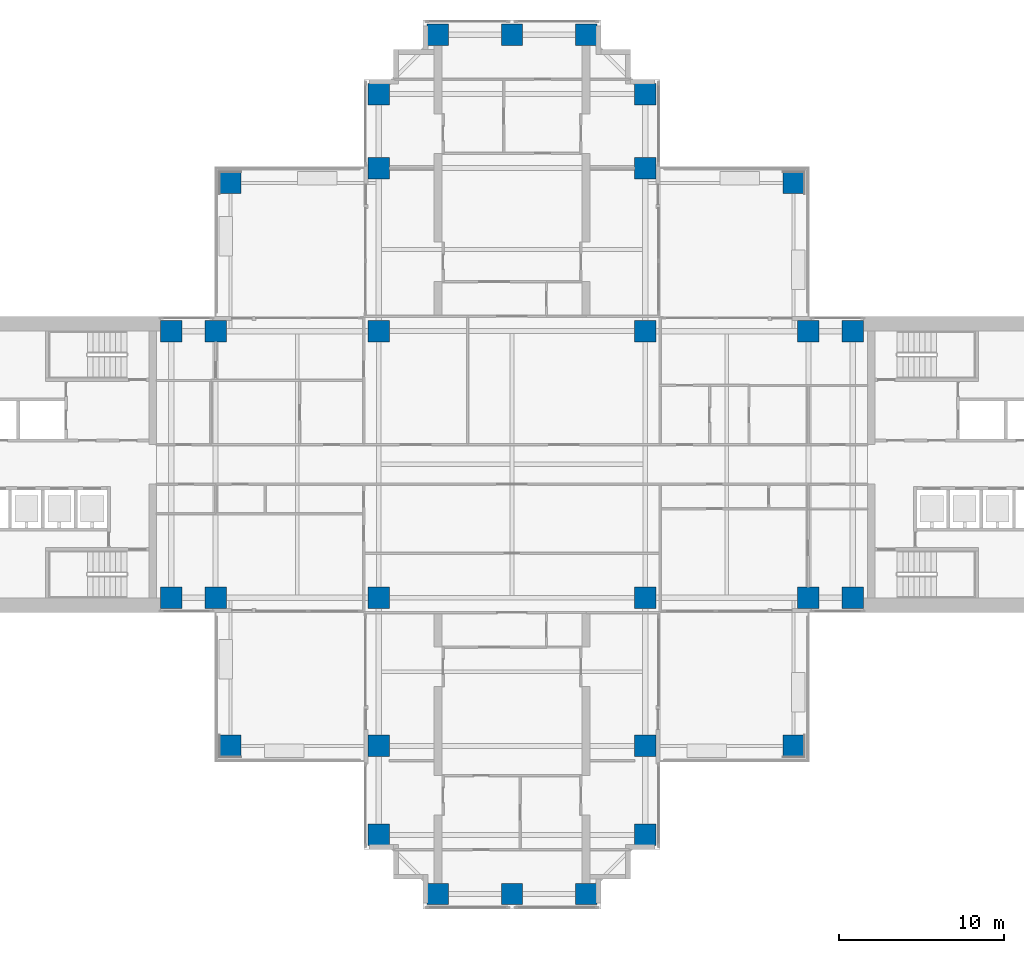
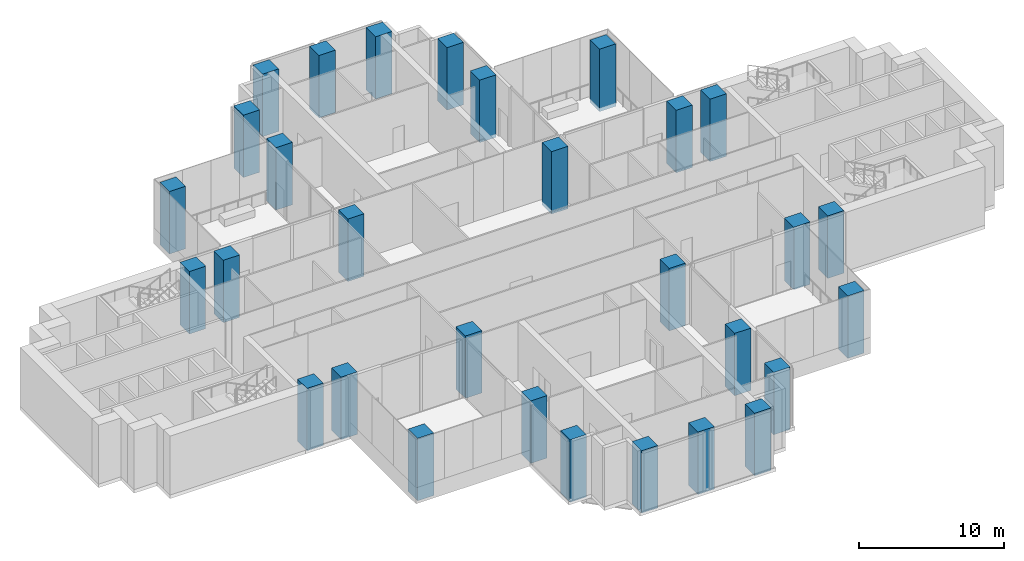
# One storey, part 1 of 17: 30 columns.
"""IFC4 building model written with IfcOpenShell, lengths in metres."""

from ifc_helpers import new_model, si_unit, direction, frame, origin, origin_2d, place, context, subcontext, project, spatial, rectangle, extrude, material, material_profile, profile_set, type_object, element, save


model = new_model("IFC4")

# Units and contexts
model_context = context("Model", 3, precision=1e-05, world=origin(), true_north=direction((0.0, 1.0)))
body_context = subcontext(model_context, "Body", "Model", "MODEL_VIEW")
ifc_project = project(units=[si_unit("LENGTHUNIT", "METRE"), si_unit("AREAUNIT", "SQUARE_METRE"), si_unit("VOLUMEUNIT", "CUBIC_METRE"), si_unit("PLANEANGLEUNIT", "RADIAN"), si_unit("MASSUNIT", "GRAM", prefix="KILO")], contexts=[model_context])

# Site, building, storey
site_placement = place(None, origin())
site = spatial("IfcSite", under=ifc_project, at=site_placement, CompositionType="ELEMENT")
building_placement = place(site_placement, origin())
building = spatial("IfcBuilding", under=site, at=building_placement, Name="Perihelion Cross Residences", CompositionType="ELEMENT")
storey_placement = place(building_placement, frame((0.0, 0.0, 92.5)))
storey = spatial("IfcBuildingStorey", under=building, at=storey_placement, Name="L21", CompositionType="ELEMENT", Elevation=92.5)

# Columns
ifc_material = material(Name="Concrete C70/85", Category="concrete")
ifc_material_profile = material_profile(ifc_material, rectangle(XDim=1.300048828125, YDim=1.300048828125, at=origin_2d()), Name="RC 1300x1300")
ifc_profile_set = profile_set([ifc_material_profile], Name="Concrete C70/85")
column_type = type_object("IfcColumnType", Name="Reinforced concrete column 1300x1300 C70/85", PredefinedType="COLUMN", material=ifc_profile_set)
for number, where, z_axis, x_axis, name in (
    (1, (-20.699951171875, -8.10009765625, -0.300048828125), (0.0, 0.0, 1.0), (1.0, 0.0, 0.0), "Column C017 L21 no. 1"),
    (2, (-20.699951171875, 8.10009765625, -0.300048828125), (0.0, 0.0, 1.0), (1.0, 0.0, 0.0), "Column C010 L21 no. 1"),
    (3, (-18.0, -8.10009765625, -0.300048828125), (0.0, 0.0, 1.0), (1.0, 0.0, 0.0), "Column C018 L21 no. 1"),
    (4, (-18.0, 8.10009765625, -0.300048828125), (0.0, 0.0, 1.0), (1.0, 0.0, 0.0), "Column C011 L21 no. 1"),
    (5, (-8.10009765625, -22.5, -0.300048828125), (0.0, 0.0, 1.0), (1.0, 0.0, 0.0), "Column C040 L21 no. 1"),
    (6, (-8.10009765625, -17.10009765625, -0.300048828125), (0.0, 0.0, 1.0), (1.0, 0.0, 0.0), "Column C031 L21 no. 1"),
    (7, (-8.10009765625, -8.10009765625, -0.300048828125), (0.0, 0.0, 1.0), (1.0, 0.0, 0.0), "Column C019 L21 no. 1"),
    (8, (-8.10009765625, 8.10009765625, -0.300048828125), (0.0, 0.0, 1.0), (1.0, 0.0, 0.0), "Column C012 L21 no. 1"),
    (9, (-8.10009765625, 18.0, -0.300048828125), (0.0, 0.0, 1.0), (1.0, 0.0, 0.0), "Column C006 L21 no. 1"),
    (10, (-8.10009765625, 22.5, -0.300048828125), (0.0, 0.0, 1.0), (1.0, 0.0, 0.0), "Column C004 L21 no. 1"),
    (11, (-4.5, -26.10009765625, -0.300048828125), (0.0, 0.0, 1.0), (1.0, 0.0, 0.0), "Column C042 L21 no. 1"),
    (12, (-4.5, 26.10009765625, -0.300048828125), (0.0, 0.0, 1.0), (1.0, 0.0, 0.0), "Column C001 L21 no. 1"),
    (13, (0.0, -26.10009765625, -0.300048828125), (0.0, 0.0, 1.0), (1.0, 0.0, 0.0), "Column C043 L21 no. 1"),
    (14, (0.0, 26.10009765625, -0.300048828125), (0.0, 0.0, 1.0), (1.0, 0.0, 0.0), "Column C002 L21 no. 1"),
    (15, (4.5, -26.10009765625, -0.300048828125), (0.0, 0.0, 1.0), (1.0, 0.0, 0.0), "Column C044 L21 no. 1"),
    (16, (4.5, 26.10009765625, -0.300048828125), (0.0, 0.0, 1.0), (1.0, 0.0, 0.0), "Column C003 L21 no. 1"),
    (17, (8.10009765625, -22.5, -0.300048828125), (0.0, 0.0, 1.0), (1.0, 0.0, 0.0), "Column C041 L21 no. 1"),
    (18, (8.10009765625, -17.10009765625, -0.300048828125), (0.0, 0.0, 1.0), (1.0, 0.0, 0.0), "Column C035 L21 no. 1"),
    (19, (8.10009765625, -8.10009765625, -0.300048828125), (0.0, 0.0, 1.0), (1.0, 0.0, 0.0), "Column C020 L21 no. 1"),
    (20, (8.10009765625, 8.10009765625, -0.300048828125), (0.0, 0.0, 1.0), (1.0, 0.0, 0.0), "Column C014 L21 no. 1"),
    (21, (8.10009765625, 18.0, -0.300048828125), (0.0, 0.0, 1.0), (1.0, 0.0, 0.0), "Column C007 L21 no. 1"),
    (22, (8.10009765625, 22.5, -0.300048828125), (0.0, 0.0, 1.0), (1.0, 0.0, 0.0), "Column C005 L21 no. 1"),
    (23, (18.0, -8.10009765625, -0.300048828125), (0.0, 0.0, 1.0), (1.0, 0.0, 0.0), "Column C021 L21 no. 1"),
    (24, (18.0, 8.10009765625, -0.300048828125), (0.0, 0.0, 1.0), (1.0, 0.0, 0.0), "Column C015 L21 no. 1"),
    (25, (20.699951171875, -8.10009765625, -0.300048828125), (0.0, 0.0, 1.0), (1.0, 0.0, 0.0), "Column C022 L21 no. 1"),
    (26, (20.699951171875, 8.10009765625, -0.300048828125), (0.0, 0.0, 1.0), (1.0, 0.0, 0.0), "Column C016 L21 no. 1"),
    (27, (17.10009765625, 17.10009765625, -0.300048828125), (0.0, 0.0, 1.0), (1.0, 0.0, 0.0), "Column C009 L21 no. 1"),
    (28, (-17.10009765625, 17.10009765625, -0.300048828125), (0.0, 0.0, 1.0), (1.0, 0.0, 0.0), "Column C008 L21 no. 1"),
    (29, (-17.10009765625, -17.10009765625, -0.300048828125), (0.0, 0.0, 1.0), (1.0, 0.0, 0.0), "Column C030 L21 no. 1"),
    (30, (17.10009765625, -17.10009765625, -0.300048828125), (0.0, 0.0, 1.0), (1.0, 0.0, 0.0), "Column C036 L21 no. 1"),
):
    element("IfcColumn", number, at=place(storey_placement, frame(where, z_axis=z_axis, x_axis=x_axis)), inside=storey, type_object=column_type, Name=name, PredefinedType="COLUMN", context=body_context, shape_type="SweptSolid", body=[
        extrude(rectangle(XDim=1.300048828125, YDim=1.300048828125, at=origin_2d()), origin(), (0.0, 0.0, 1.0), 5.25),
    ])

save(model, "model.ifc")
